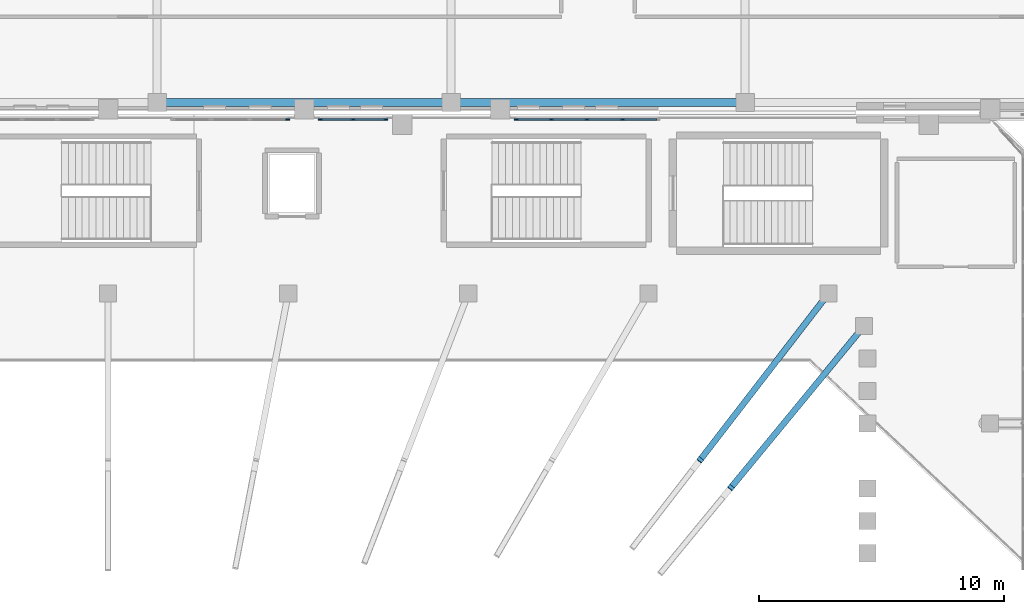
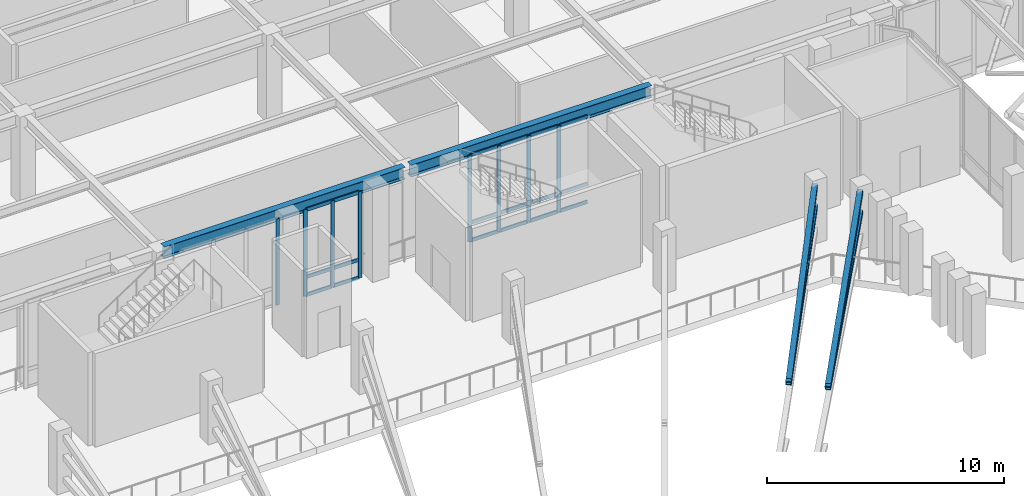
# One storey, part 30 of 79: 30 members, 2 beams, 3 elements without a shape of their own.
"""IFC4 building model written with IfcOpenShell, lengths in metres."""

import ifcopenshell
import ifcopenshell.guid

model = None  # the IFC model being written
_history = None  # IfcOwnerHistory: only IFC2X3 demands one
_inside = {}  # id of a spatial element -> (the spatial element, [elements in it])
_under = {}  # id of a project, library or spatial element -> (it, [spatial elements below it])
_declared = {}  # id of a project -> (the project, [libraries it declares])
_typed = {}  # id of a type object -> (the type object, [elements of that type])
_made_of = {}  # id of a material, layer set ... -> (it, [elements and type objects made of it])


def new_model(schema):
    """Start an empty IFC model of exactly this schema.

    Asked for "IFC4X3", IfcOpenShell would pick the latest addendum, in which some entities
    have other attributes; the version numbers below select the first issue.
    IFC2X3 requires an IfcOwnerHistory on every rooted entity: one is made here for all.
    """
    global model, _history
    if schema == "IFC4X3":
        model = ifcopenshell.file(schema_version=(4, 3, 0, 0))
    else:
        model = ifcopenshell.file(schema=schema)
    _inside.clear()
    _under.clear()
    _declared.clear()
    _typed.clear()
    _made_of.clear()
    _history = None
    if model.schema == "IFC2X3":
        org = make("IfcOrganization", Name="unknown")
        user = make(
            "IfcPersonAndOrganization",
            ThePerson=make("IfcPerson", FamilyName="unknown"),
            TheOrganization=org,
        )
        app = make(
            "IfcApplication",
            ApplicationDeveloper=org,
            Version="unknown",
            ApplicationFullName="unknown",
            ApplicationIdentifier="unknown",
        )
        _history = make(
            "IfcOwnerHistory",
            OwningUser=user,
            OwningApplication=app,
            ChangeAction="ADDED",
            CreationDate=0,
        )
    return model


def make(cls, **values):
    """One entity of the class cls with the attributes given. An attribute that is None is left unset."""
    return model.create_entity(
        cls, **{name: value for name, value in values.items() if value is not None}
    )


def rooted(cls, **values):
    """An entity with a GlobalId (a new one), such as an element, a storey or a relation."""
    return make(cls, GlobalId=ifcopenshell.guid.new(), OwnerHistory=_history, **values)


def si_unit(unit_type, name, prefix=None):
    """IfcSIUnit, for example si_unit("LENGTHUNIT", "METRE", prefix="MILLI")."""
    return make("IfcSIUnit", UnitType=unit_type, Prefix=prefix, Name=name)


def derived_unit(unit_type, elements):
    """IfcDerivedUnit: a product of units, each with its exponent."""
    return make(
        "IfcDerivedUnit",
        Elements=[
            make("IfcDerivedUnitElement", Unit=unit, Exponent=power)
            for unit, power in elements
        ],
        UnitType=unit_type,
    )


def assignment(units):
    """IfcUnitAssignment: the units of a project."""
    return None if units is None else make("IfcUnitAssignment", Units=units)


def point(xyz):
    """IfcCartesianPoint."""
    return None if xyz is None else make("IfcCartesianPoint", Coordinates=xyz)


def direction(xyz):
    """IfcDirection."""
    return None if xyz is None else make("IfcDirection", DirectionRatios=xyz)


def frame(location, z_axis=None, x_axis=None):
    """IfcAxis2Placement3D, a coordinate frame: its origin and axes. An axis left out is left unset."""
    return make(
        "IfcAxis2Placement3D",
        Location=point(location),
        Axis=direction(z_axis),
        RefDirection=direction(x_axis),
    )


def frame_2d(location, x_axis=None):
    """IfcAxis2Placement2D, a coordinate frame in the plane: its origin and x axis."""
    return make(
        "IfcAxis2Placement2D", Location=point(location), RefDirection=direction(x_axis)
    )


def origin():
    """The frame at (0, 0, 0) with its axes left unset."""
    return frame((0.0, 0.0, 0.0))


def origin_2d():
    """The frame at (0, 0) in the plane with its x axis left unset."""
    return frame_2d((0.0, 0.0))


def place(relative_to, where):
    """IfcLocalPlacement: puts the frame where relative to a parent placement (None: the world)."""
    return make(
        "IfcLocalPlacement", PlacementRelTo=relative_to, RelativePlacement=where
    )


def context(
    kind, dimensions, precision=None, world=None, true_north=None, identifier=None
):
    """IfcGeometricRepresentationContext, for example the 3D "Model" context."""
    return make(
        "IfcGeometricRepresentationContext",
        ContextIdentifier=identifier,
        ContextType=kind,
        CoordinateSpaceDimension=dimensions,
        Precision=precision,
        WorldCoordinateSystem=world,
        TrueNorth=true_north,
    )


def subcontext(parent, identifier, kind, view, scale=None):
    """IfcGeometricRepresentationSubContext, for example "Body" below "Model"."""
    return make(
        "IfcGeometricRepresentationSubContext",
        ContextIdentifier=identifier,
        ContextType=kind,
        ParentContext=parent,
        TargetScale=scale,
        TargetView=view,
    )


def project(units=None, contexts=None):
    """IfcProject with its units and contexts."""
    return rooted(
        "IfcProject",
        Name="project",
        RepresentationContexts=contexts,
        UnitsInContext=assignment(units),
    )


def spatial(cls, under=None, at=None, **own):
    """A site, building, storey or space (cls), placed at a placement, below another one or the project."""
    s = rooted(cls, ObjectPlacement=at, **own)
    if under is not None:
        _under.setdefault(under.id(), (under, []))[1].append(s)
    return s


def profile(cls, at=None, kind="AREA", **sizes):
    """A parametric profile (cls). Its sizes go by their IFC names, for example OverallWidth=200.0."""
    return make(cls, ProfileType=kind, Position=at, **sizes)


def rectangle(**sizes):
    """IfcRectangleProfileDef."""
    return profile("IfcRectangleProfileDef", **sizes)


def hollow_rectangle(**sizes):
    """IfcRectangleHollowProfileDef."""
    return profile("IfcRectangleHollowProfileDef", **sizes)


def i_section(**sizes):
    """IfcIShapeProfileDef."""
    return profile("IfcIShapeProfileDef", **sizes)


def extrude(swept, where, along, depth):
    """IfcExtrudedAreaSolid: the profile swept, set in the frame where, extruded along a direction by depth."""
    return make(
        "IfcExtrudedAreaSolid",
        SweptArea=swept,
        Position=where,
        ExtrudedDirection=direction(along),
        Depth=depth,
    )


def shape(context_of_items, identifier, shape_type, items):
    """IfcShapeRepresentation: the items that make up one representation, for example the "Body"."""
    return make(
        "IfcShapeRepresentation",
        ContextOfItems=context_of_items,
        RepresentationIdentifier=identifier,
        RepresentationType=shape_type,
        Items=items,
    )


def material(Name=None, Category=None):
    """IfcMaterial."""
    return make("IfcMaterial", Name=Name, Category=Category)


def layer(
    of_material, thickness, ventilated=None, Name=None, Category=None, Priority=None
):
    """IfcMaterialLayer: one layer of a wall or slab, of a material (None: an air gap)."""
    return make(
        "IfcMaterialLayer",
        Material=of_material,
        LayerThickness=thickness,
        IsVentilated=ventilated,
        Name=Name,
        Category=Category,
        Priority=Priority,
    )


def layer_set(layers, Name=None):
    """IfcMaterialLayerSet."""
    return make("IfcMaterialLayerSet", MaterialLayers=layers, LayerSetName=Name)


def material_profile(
    of_material, cross_section, Name=None, Category=None, Priority=None
):
    """IfcMaterialProfile: a cross section and its material."""
    return make(
        "IfcMaterialProfile",
        Name=Name,
        Material=of_material,
        Profile=cross_section,
        Priority=Priority,
        Category=Category,
    )


def profile_set(profiles, Name=None, composite=None):
    """IfcMaterialProfileSet."""
    return make(
        "IfcMaterialProfileSet",
        Name=Name,
        MaterialProfiles=profiles,
        CompositeProfile=composite,
    )


def made_of(thing, what):
    """Note that an element or type object is made of a material, layer set ...; save() writes the relation."""
    if what is not None:
        _made_of.setdefault(what.id(), (what, []))[1].append(thing)
    return thing


def type_object(cls, material=None, **own):
    """A type object (cls), such as IfcWallType, which elements share."""
    return made_of(rooted(cls, **own), material)


def element(
    cls,
    number,
    at=None,
    inside=None,
    cuts=None,
    type_object=None,
    material=None,
    context=None,
    identifier="Body",
    shape_type=None,
    held_by="IfcProductDefinitionShape",
    body=None,
    shapes=None,
    **own,
):
    """One element of the class cls, such as IfcWall. Its Tag is "e" and its number.

    at: its placement. inside: the storey or other place that contains it. cuts: it is an
    opening in that element (IfcRelVoidsElement). A single representation is given by context,
    identifier, shape_type and body (its items); several are given by shapes. held_by: the class
    of the entity that holds the representations. save() writes the other relations.
    """
    e = rooted(cls, Tag="e%d" % number, ObjectPlacement=at, **own)
    if body is not None:
        shapes = [shape(context, identifier, shape_type, body)]
    if shapes is not None:
        e.Representation = make(held_by, Representations=shapes)
    if inside is not None:
        _inside.setdefault(inside.id(), (inside, []))[1].append(e)
    if cuts is not None:
        rooted(
            "IfcRelVoidsElement", RelatingBuildingElement=cuts, RelatedOpeningElement=e
        )
    if type_object is not None:
        _typed.setdefault(type_object.id(), (type_object, []))[1].append(e)
    return made_of(e, material)


def aggregate(whole, parts):
    """IfcRelAggregates: a whole, such as a stair, and the parts it consists of."""
    return rooted("IfcRelAggregates", RelatingObject=whole, RelatedObjects=parts)


def save(model, path):
    """Write the relations noted so far, then the file.

    IfcRelAggregates (storeys below a building ...), IfcRelContainedInSpatialStructure (elements
    in a storey), IfcRelDefinesByType, IfcRelAssociatesMaterial and IfcRelDeclares: one each for
    every whole, place, type object, material and project.
    """
    for whole, parts in _under.values():
        aggregate(whole, parts)
    for where, things in _inside.values():
        rooted(
            "IfcRelContainedInSpatialStructure",
            RelatedElements=things,
            RelatingStructure=where,
        )
    for kind, things in _typed.values():
        rooted("IfcRelDefinesByType", RelatedObjects=things, RelatingType=kind)
    for what, things in _made_of.values():
        rooted("IfcRelAssociatesMaterial", RelatedObjects=things, RelatingMaterial=what)
    for by, libraries in _declared.values():
        rooted("IfcRelDeclares", RelatingContext=by, RelatedDefinitions=libraries)
    model.write(path)


model = new_model("IFC4")

# Units and contexts
model_context = context("Model", 3, precision=1e-05, world=origin(), true_north=direction((0.0, 1.0)))
body_context = subcontext(model_context, "Body", "Model", "MODEL_VIEW")
ifc_project = project(units=[si_unit("LENGTHUNIT", "METRE"), si_unit("AREAUNIT", "SQUARE_METRE"), si_unit("VOLUMEUNIT", "CUBIC_METRE"), si_unit("PLANEANGLEUNIT", "RADIAN"), si_unit("MASSUNIT", "GRAM", prefix="KILO"), derived_unit("THERMALTRANSMITTANCEUNIT", [(si_unit("MASSUNIT", "GRAM", prefix="KILO"), 1), (si_unit("TIMEUNIT", "SECOND"), -3), (si_unit("THERMODYNAMICTEMPERATUREUNIT", "KELVIN"), -1)])], contexts=[model_context])

# Site, building, storey
site_placement = place(None, origin())
site = spatial("IfcSite", under=ifc_project, at=site_placement, CompositionType="ELEMENT")
building_placement = place(site_placement, origin())
building = spatial("IfcBuilding", under=site, at=building_placement, Name="Valcora Ridge Arena", CompositionType="ELEMENT")
storey_placement = place(building_placement, frame((0.0, 0.0, 16.199951171875)))
storey = spatial("IfcBuildingStorey", under=building, at=storey_placement, Name="L03", CompositionType="ELEMENT", Elevation=16.199951171875)

# Beams
ifc_material_1 = material(Name="Steel ASTM A572 Grade 50", Category="steel")
ifc_material_profile_1 = material_profile(ifc_material_1, i_section(OverallWidth=0.324951171875, OverallDepth=0.612060546875, WebThickness=0.0126953125, FlangeThickness=0.01904296875, FilletRadius=0.01806640625, at=origin_2d()), Name="W24X104")
ifc_profile_set_1 = profile_set([ifc_material_profile_1], Name="Steel ASTM A572 Grade 50")
beam_type = type_object("IfcBeamType", Name="TY-BEAM-G-W24X104-X", PredefinedType="BEAM", material=ifc_profile_set_1)
for number, where, z_axis, x_axis, name in (
    (1, (60.139892578125, 108.699951171875, 4.154052734375), (1.0, 0.0, 0.0), (0.0, 1.0, 0.0), "G-W24X104-X BEM-G-W24X104-X-0100"),
    (2, (72.139892578125, 108.699951171875, 4.154052734375), (1.0, 0.0, 0.0), (0.0, 1.0, 0.0), "G-W24X104-X BEM-G-W24X104-X-0101"),
):
    element("IfcBeam", number, at=place(storey_placement, frame(where, z_axis=z_axis, x_axis=x_axis)), inside=storey, type_object=beam_type, Name=name, PredefinedType="BEAM", context=body_context, shape_type="SweptSolid", body=[
        extrude(i_section(OverallWidth=0.324951171875, OverallDepth=0.612060546875, WebThickness=0.0126953125, FlangeThickness=0.01904296875, FilletRadius=0.01806640625, at=origin_2d()), origin(), (0.0, 0.0, 1.0), 11.72021484375),
    ])

# Curtain wall, member
ifc_material_2 = material(Name="Anodised dark bronze architectural aluminium 6063-T6", Category="aluminium")
ifc_layer_1 = layer(ifc_material_2, 0.179931640625, Name="Anodised dark bronze architectural aluminium 6063-T6")
ifc_layer_set_1 = layer_set([ifc_layer_1], Name="Anodised dark bronze architectural aluminium 6063-T6")
curtain_wall_type_1 = type_object("IfcCurtainWallType", Name="TY-CURTAINWALL-CW-V1-GOTH-047X44", PredefinedType="NOTDEFINED", material=ifc_layer_set_1)
curtain_wall_1_placement = place(storey_placement, origin())
curtain_wall_1 = element("IfcCurtainWall", 3, at=curtain_wall_1_placement, inside=storey, type_object=curtain_wall_type_1, Name="CW-V1-GOTH-047X44 CW-0143", PredefinedType="NOTDEFINED")
ifc_material_profile_2 = material_profile(ifc_material_2, rectangle(XDim=0.06005859375, YDim=0.179931640625, at=origin_2d()), Name="ALU MULLION 60x180")
ifc_profile_set_2 = profile_set([ifc_material_profile_2], Name="Anodised dark bronze architectural aluminium 6063-T6")
member_type_1 = type_object("IfcMemberType", Name="TY-MEM-CWM-60x180", PredefinedType="MULLION", material=ifc_profile_set_2)
member_1_placement = place(storey_placement, frame((65.330078125, 108.0, 0.0), z_axis=(0.0, 0.0, 1.0), x_axis=(0.0, 1.0, 0.0)))
member_1 = element("IfcMember", 4, at=member_1_placement, type_object=member_type_1, Name="CW-0143/CWM-60x180/M03", PredefinedType="MULLION", context=body_context, shape_type="SweptSolid", body=[
    extrude(rectangle(XDim=0.06005859375, YDim=0.179931640625, at=origin_2d()), origin(), (0.0, 0.0, 1.0), 4.43994140625),
])
aggregate(curtain_wall_1, [member_1])

# Curtain wall, members
ifc_layer_2 = layer(ifc_material_2, 0.179931640625, Name="Anodised dark bronze architectural aluminium 6063-T6")
ifc_layer_set_2 = layer_set([ifc_layer_2], Name="Anodised dark bronze architectural aluminium 6063-T6")
curtain_wall_type_2 = type_object("IfcCurtainWallType", Name="TY-CURTAINWALL-CW-V1-GOTH-027X44", PredefinedType="NOTDEFINED", material=ifc_layer_set_2)
curtain_wall_2_placement = place(storey_placement, origin())
curtain_wall_2 = element("IfcCurtainWall", 5, at=curtain_wall_2_placement, inside=storey, type_object=curtain_wall_type_2, Name="CW-V1-GOTH-027X44 CW-0144", PredefinedType="NOTDEFINED")
member_2_placement = place(storey_placement, frame((66.669921875, 108.0, 0.0), z_axis=(0.0, 0.0, 1.0), x_axis=(0.0, 1.0, 0.0)))
member_2 = element("IfcMember", 6, at=member_2_placement, type_object=member_type_1, Name="CW-0144/CWM-60x180/M00", PredefinedType="MULLION", context=body_context, shape_type="SweptSolid", body=[
    extrude(rectangle(XDim=0.06005859375, YDim=0.179931640625, at=origin_2d()), origin(), (0.0, 0.0, 1.0), 4.43994140625),
])
member_3_placement = place(storey_placement, frame((68.0, 108.0, 0.0), z_axis=(0.0, 0.0, 1.0), x_axis=(0.0, 1.0, 0.0)))
member_3 = element("IfcMember", 7, at=member_3_placement, type_object=member_type_1, Name="CW-0144/CWM-60x180/M01", PredefinedType="MULLION", context=body_context, shape_type="SweptSolid", body=[
    extrude(rectangle(XDim=0.06005859375, YDim=0.179931640625, at=origin_2d()), origin(), (0.0, 0.0, 1.0), 4.43994140625),
])
member_4_placement = place(storey_placement, frame((69.330078125, 108.0, 0.0), z_axis=(0.0, 0.0, 1.0), x_axis=(0.0, 1.0, 0.0)))
member_4 = element("IfcMember", 8, at=member_4_placement, type_object=member_type_1, Name="CW-0144/CWM-60x180/M02", PredefinedType="MULLION", context=body_context, shape_type="SweptSolid", body=[
    extrude(rectangle(XDim=0.06005859375, YDim=0.179931640625, at=origin_2d()), origin(), (0.0, 0.0, 1.0), 4.43994140625),
])

ifc_layer_3 = layer(ifc_material_2, 0.179931640625, Name="Anodised dark bronze architectural aluminium 6063-T6")
ifc_layer_set_3 = layer_set([ifc_layer_3], Name="Anodised dark bronze architectural aluminium 6063-T6")
curtain_wall_type_3 = type_object("IfcCurtainWallType", Name="TY-CURTAINWALL-CW-V1-GOTH-058X44", PredefinedType="NOTDEFINED", material=ifc_layer_set_3)
curtain_wall_3_placement = place(storey_placement, origin())
curtain_wall_3 = element("IfcCurtainWall", 9, at=curtain_wall_3_placement, inside=storey, type_object=curtain_wall_type_3, Name="CW-V1-GOTH-058X44 CW-0145", PredefinedType="NOTDEFINED")
member_5_placement = place(storey_placement, frame((74.669921875, 108.0, 0.0), z_axis=(0.0, 0.0, 1.0), x_axis=(0.0, 1.0, 0.0)))
member_5 = element("IfcMember", 10, at=member_5_placement, type_object=member_type_1, Name="CW-0145/CWM-60x180/M00", PredefinedType="MULLION", context=body_context, shape_type="SweptSolid", body=[
    extrude(rectangle(XDim=0.06005859375, YDim=0.179931640625, at=origin_2d()), origin(), (0.0, 0.0, 1.0), 4.43994140625),
])
member_6_placement = place(storey_placement, frame((76.092529296875, 108.0, 0.0), z_axis=(0.0, 0.0, 1.0), x_axis=(0.0, 1.0, 0.0)))
member_6 = element("IfcMember", 11, at=member_6_placement, type_object=member_type_1, Name="CW-0145/CWM-60x180/M01", PredefinedType="MULLION", context=body_context, shape_type="SweptSolid", body=[
    extrude(rectangle(XDim=0.06005859375, YDim=0.179931640625, at=origin_2d()), origin(), (0.0, 0.0, 1.0), 4.43994140625),
])
member_7_placement = place(storey_placement, frame((77.544921875, 108.0, 0.0), z_axis=(0.0, 0.0, 1.0), x_axis=(0.0, 1.0, 0.0)))
member_7 = element("IfcMember", 12, at=member_7_placement, type_object=member_type_1, Name="CW-0145/CWM-60x180/M02", PredefinedType="MULLION", context=body_context, shape_type="SweptSolid", body=[
    extrude(rectangle(XDim=0.06005859375, YDim=0.179931640625, at=origin_2d()), origin(), (0.0, 0.0, 1.0), 4.43994140625),
])
member_8_placement = place(storey_placement, frame((78.99755859375, 108.0, 0.0), z_axis=(0.0, 0.0, 1.0), x_axis=(0.0, 1.0, 0.0)))
member_8 = element("IfcMember", 13, at=member_8_placement, type_object=member_type_1, Name="CW-0145/CWM-60x180/M03", PredefinedType="MULLION", context=body_context, shape_type="SweptSolid", body=[
    extrude(rectangle(XDim=0.06005859375, YDim=0.179931640625, at=origin_2d()), origin(), (0.0, 0.0, 1.0), 4.43994140625),
])

# Member
ifc_material_profile_3 = material_profile(ifc_material_2, rectangle(XDim=0.06005859375, YDim=0.179931640625, at=origin_2d()), Name="ALU TRANSOM 60x180")
ifc_profile_set_3 = profile_set([ifc_material_profile_3], Name="Anodised dark bronze architectural aluminium 6063-T6")
member_type_2 = type_object("IfcMemberType", Name="TY-MEM-CWT-60x180", PredefinedType="USERDEFINED", material=ifc_profile_set_3)
member_9_placement = place(storey_placement, frame((66.699951171875, 108.0, 0.030029296875), z_axis=(1.0, 0.0, 0.0), x_axis=(0.0, 1.0, 0.0)))
member_9 = element("IfcMember", 14, at=member_9_placement, type_object=member_type_2, Name="CW-0144/CWT-60x180/T00-00", ObjectType="TRANSOM", PredefinedType="USERDEFINED", context=body_context, shape_type="SweptSolid", body=[
    extrude(rectangle(XDim=0.06005859375, YDim=0.179931640625, at=origin_2d()), origin(), (0.0, 0.0, 1.0), 1.27001953125),
])

member_10_placement = place(storey_placement, frame((66.699951171875, 108.0, 0.949951171875), z_axis=(1.0, 0.0, 0.0), x_axis=(0.0, 1.0, 0.0)))
member_10 = element("IfcMember", 15, at=member_10_placement, type_object=member_type_2, Name="CW-0144/CWT-60x180/T00-01", ObjectType="TRANSOM", PredefinedType="USERDEFINED", context=body_context, shape_type="SweptSolid", body=[
    extrude(rectangle(XDim=0.06005859375, YDim=0.179931640625, at=origin_2d()), origin(), (0.0, 0.0, 1.0), 1.27001953125),
])

member_11_placement = place(storey_placement, frame((66.699951171875, 108.0, 4.41015625), z_axis=(1.0, 0.0, 0.0), x_axis=(0.0, 1.0, 0.0)))
member_11 = element("IfcMember", 16, at=member_11_placement, type_object=member_type_2, Name="CW-0144/CWT-60x180/T00-02", ObjectType="TRANSOM", PredefinedType="USERDEFINED", context=body_context, shape_type="SweptSolid", body=[
    extrude(rectangle(XDim=0.06005859375, YDim=0.179931640625, at=origin_2d()), origin(), (0.0, 0.0, 1.0), 1.27001953125),
])

member_12_placement = place(storey_placement, frame((68.030029296875, 108.0, 0.030029296875), z_axis=(1.0, 0.0, 0.0), x_axis=(0.0, 1.0, 0.0)))
member_12 = element("IfcMember", 17, at=member_12_placement, type_object=member_type_2, Name="CW-0144/CWT-60x180/T01-00", ObjectType="TRANSOM", PredefinedType="USERDEFINED", context=body_context, shape_type="SweptSolid", body=[
    extrude(rectangle(XDim=0.06005859375, YDim=0.179931640625, at=origin_2d()), origin(), (0.0, 0.0, 1.0), 1.27001953125),
])

member_13_placement = place(storey_placement, frame((68.030029296875, 108.0, 0.949951171875), z_axis=(1.0, 0.0, 0.0), x_axis=(0.0, 1.0, 0.0)))
member_13 = element("IfcMember", 18, at=member_13_placement, type_object=member_type_2, Name="CW-0144/CWT-60x180/T01-01", ObjectType="TRANSOM", PredefinedType="USERDEFINED", context=body_context, shape_type="SweptSolid", body=[
    extrude(rectangle(XDim=0.06005859375, YDim=0.179931640625, at=origin_2d()), origin(), (0.0, 0.0, 1.0), 1.27001953125),
])

member_14_placement = place(storey_placement, frame((68.030029296875, 108.0, 4.41015625), z_axis=(1.0, 0.0, 0.0), x_axis=(0.0, 1.0, 0.0)))
member_14 = element("IfcMember", 19, at=member_14_placement, type_object=member_type_2, Name="CW-0144/CWT-60x180/T01-02", ObjectType="TRANSOM", PredefinedType="USERDEFINED", context=body_context, shape_type="SweptSolid", body=[
    extrude(rectangle(XDim=0.06005859375, YDim=0.179931640625, at=origin_2d()), origin(), (0.0, 0.0, 1.0), 1.27001953125),
])

aggregate(curtain_wall_2, [member_2, member_3, member_4, member_9, member_10, member_11, member_12, member_13, member_14])

member_15_placement = place(storey_placement, frame((74.699951171875, 108.0, 0.030029296875), z_axis=(1.0, 0.0, 0.0), x_axis=(0.0, 1.0, 0.0)))
member_15 = element("IfcMember", 20, at=member_15_placement, type_object=member_type_2, Name="CW-0145/CWT-60x180/T00-00", ObjectType="TRANSOM", PredefinedType="USERDEFINED", context=body_context, shape_type="SweptSolid", body=[
    extrude(rectangle(XDim=0.06005859375, YDim=0.179931640625, at=origin_2d()), origin(), (0.0, 0.0, 1.0), 1.362060546875),
])

member_16_placement = place(storey_placement, frame((74.699951171875, 108.0, 0.949951171875), z_axis=(1.0, 0.0, 0.0), x_axis=(0.0, 1.0, 0.0)))
member_16 = element("IfcMember", 21, at=member_16_placement, type_object=member_type_2, Name="CW-0145/CWT-60x180/T00-01", ObjectType="TRANSOM", PredefinedType="USERDEFINED", context=body_context, shape_type="SweptSolid", body=[
    extrude(rectangle(XDim=0.06005859375, YDim=0.179931640625, at=origin_2d()), origin(), (0.0, 0.0, 1.0), 1.362060546875),
])

member_17_placement = place(storey_placement, frame((74.699951171875, 108.0, 4.41015625), z_axis=(1.0, 0.0, 0.0), x_axis=(0.0, 1.0, 0.0)))
member_17 = element("IfcMember", 22, at=member_17_placement, type_object=member_type_2, Name="CW-0145/CWT-60x180/T00-02", ObjectType="TRANSOM", PredefinedType="USERDEFINED", context=body_context, shape_type="SweptSolid", body=[
    extrude(rectangle(XDim=0.06005859375, YDim=0.179931640625, at=origin_2d()), origin(), (0.0, 0.0, 1.0), 1.362060546875),
])

member_18_placement = place(storey_placement, frame((76.1220703125, 108.0, 0.030029296875), z_axis=(1.0, 0.0, 0.0), x_axis=(0.0, 1.0, 0.0)))
member_18 = element("IfcMember", 23, at=member_18_placement, type_object=member_type_2, Name="CW-0145/CWT-60x180/T01-00", ObjectType="TRANSOM", PredefinedType="USERDEFINED", context=body_context, shape_type="SweptSolid", body=[
    extrude(rectangle(XDim=0.06005859375, YDim=0.179931640625, at=origin_2d()), origin(), (0.0, 0.0, 1.0), 1.392822265625),
])

member_19_placement = place(storey_placement, frame((76.1220703125, 108.0, 0.949951171875), z_axis=(1.0, 0.0, 0.0), x_axis=(0.0, 1.0, 0.0)))
member_19 = element("IfcMember", 24, at=member_19_placement, type_object=member_type_2, Name="CW-0145/CWT-60x180/T01-01", ObjectType="TRANSOM", PredefinedType="USERDEFINED", context=body_context, shape_type="SweptSolid", body=[
    extrude(rectangle(XDim=0.06005859375, YDim=0.179931640625, at=origin_2d()), origin(), (0.0, 0.0, 1.0), 1.392822265625),
])

member_20_placement = place(storey_placement, frame((76.1220703125, 108.0, 4.41015625), z_axis=(1.0, 0.0, 0.0), x_axis=(0.0, 1.0, 0.0)))
member_20 = element("IfcMember", 25, at=member_20_placement, type_object=member_type_2, Name="CW-0145/CWT-60x180/T01-02", ObjectType="TRANSOM", PredefinedType="USERDEFINED", context=body_context, shape_type="SweptSolid", body=[
    extrude(rectangle(XDim=0.06005859375, YDim=0.179931640625, at=origin_2d()), origin(), (0.0, 0.0, 1.0), 1.392822265625),
])

member_21_placement = place(storey_placement, frame((77.574951171875, 108.0, 0.030029296875), z_axis=(1.0, 0.0, 0.0), x_axis=(0.0, 1.0, 0.0)))
member_21 = element("IfcMember", 26, at=member_21_placement, type_object=member_type_2, Name="CW-0145/CWT-60x180/T02-00", ObjectType="TRANSOM", PredefinedType="USERDEFINED", context=body_context, shape_type="SweptSolid", body=[
    extrude(rectangle(XDim=0.06005859375, YDim=0.179931640625, at=origin_2d()), origin(), (0.0, 0.0, 1.0), 1.39208984375),
])

member_22_placement = place(storey_placement, frame((77.574951171875, 108.0, 0.949951171875), z_axis=(1.0, 0.0, 0.0), x_axis=(0.0, 1.0, 0.0)))
member_22 = element("IfcMember", 27, at=member_22_placement, type_object=member_type_2, Name="CW-0145/CWT-60x180/T02-01", ObjectType="TRANSOM", PredefinedType="USERDEFINED", context=body_context, shape_type="SweptSolid", body=[
    extrude(rectangle(XDim=0.06005859375, YDim=0.179931640625, at=origin_2d()), origin(), (0.0, 0.0, 1.0), 1.39208984375),
])

member_23_placement = place(storey_placement, frame((77.574951171875, 108.0, 4.41015625), z_axis=(1.0, 0.0, 0.0), x_axis=(0.0, 1.0, 0.0)))
member_23 = element("IfcMember", 28, at=member_23_placement, type_object=member_type_2, Name="CW-0145/CWT-60x180/T02-02", ObjectType="TRANSOM", PredefinedType="USERDEFINED", context=body_context, shape_type="SweptSolid", body=[
    extrude(rectangle(XDim=0.06005859375, YDim=0.179931640625, at=origin_2d()), origin(), (0.0, 0.0, 1.0), 1.39208984375),
])

member_24_placement = place(storey_placement, frame((79.028076171875, 108.0, 0.030029296875), z_axis=(1.0, 0.0, 0.0), x_axis=(0.0, 1.0, 0.0)))
member_24 = element("IfcMember", 29, at=member_24_placement, type_object=member_type_2, Name="CW-0145/CWT-60x180/T03-00", ObjectType="TRANSOM", PredefinedType="USERDEFINED", context=body_context, shape_type="SweptSolid", body=[
    extrude(rectangle(XDim=0.06005859375, YDim=0.179931640625, at=origin_2d()), origin(), (0.0, 0.0, 1.0), 1.36181640625),
])

member_25_placement = place(storey_placement, frame((79.028076171875, 108.0, 0.949951171875), z_axis=(1.0, 0.0, 0.0), x_axis=(0.0, 1.0, 0.0)))
member_25 = element("IfcMember", 30, at=member_25_placement, type_object=member_type_2, Name="CW-0145/CWT-60x180/T03-01", ObjectType="TRANSOM", PredefinedType="USERDEFINED", context=body_context, shape_type="SweptSolid", body=[
    extrude(rectangle(XDim=0.06005859375, YDim=0.179931640625, at=origin_2d()), origin(), (0.0, 0.0, 1.0), 1.36181640625),
])

member_26_placement = place(storey_placement, frame((79.028076171875, 108.0, 4.41015625), z_axis=(1.0, 0.0, 0.0), x_axis=(0.0, 1.0, 0.0)))
member_26 = element("IfcMember", 31, at=member_26_placement, type_object=member_type_2, Name="CW-0145/CWT-60x180/T03-02", ObjectType="TRANSOM", PredefinedType="USERDEFINED", context=body_context, shape_type="SweptSolid", body=[
    extrude(rectangle(XDim=0.06005859375, YDim=0.179931640625, at=origin_2d()), origin(), (0.0, 0.0, 1.0), 1.36181640625),
])

aggregate(curtain_wall_3, [member_5, member_6, member_7, member_8, member_15, member_16, member_17, member_18, member_19, member_20, member_21, member_22, member_23, member_24, member_25, member_26])

# Members
ifc_material_3 = material(Name="Steel ASTM A500 Grade C", Category="steel")
ifc_material_profile_4 = material_profile(ifc_material_3, hollow_rectangle(XDim=0.25, YDim=0.25, WallThickness=0.012451171875, at=origin_2d()), Name="HSS250X250X12")
ifc_profile_set_4 = profile_set([ifc_material_profile_4], Name="Steel ASTM A500 Grade C")
member_type_3 = type_object("IfcMemberType", Name="TY-MEMBER-RKRUC-251", PredefinedType="CHORD", material=ifc_profile_set_4)
member_27_placement = place(storey_placement, frame((83.406982421875, 92.9658203125, -1.51806640625), z_axis=(0.560895291431, 0.681042731005, 0.470719949223), x_axis=(-0.771909894163, 0.635731952393, 0.0)))
element("IfcMember", 32, at=member_27_placement, inside=storey, type_object=member_type_3, Name="RKRUC-251 MBR-RK-RKRUC-251-0011", PredefinedType="CHORD", context=body_context, shape_type="SweptSolid", body=[
    extrude(hollow_rectangle(XDim=0.25, YDim=0.25, WallThickness=0.012451171875, at=origin_2d()), origin(), (0.0, 0.0, 1.0), 9.424560546875),
])
member_28_placement = place(storey_placement, frame((82.15087890625, 94.095703125, -1.5185546875), z_axis=(0.539339010653, 0.699110637887, 0.469422781277), x_axis=(-0.791768513039, 0.610821268261, 0.0)))
element("IfcMember", 33, at=member_28_placement, inside=storey, type_object=member_type_3, Name="RKRUC-251 MBR-RK-RKRUC-251-0012", PredefinedType="CHORD", context=body_context, shape_type="SweptSolid", body=[
    extrude(hollow_rectangle(XDim=0.25, YDim=0.25, WallThickness=0.012451171875, at=origin_2d()), origin(), (0.0, 0.0, 1.0), 9.45263671875),
])
ifc_material_profile_5 = material_profile(ifc_material_3, hollow_rectangle(XDim=0.25, YDim=0.25, WallThickness=0.012451171875, at=origin_2d()), Name="HSS250X250X12")
ifc_profile_set_5 = profile_set([ifc_material_profile_5], Name="Steel ASTM A500 Grade C")
member_type_4 = type_object("IfcMemberType", Name="TY-MEMBER-RKRUT-250", PredefinedType="BRACE", material=ifc_profile_set_5)
member_29_placement = place(storey_placement, frame((83.414794921875, 92.97509765625, -1.494140625), z_axis=(0.588463892393, 0.714563297906, 0.378298216538), x_axis=(-0.771930235617, 0.635707252861, 0.0)))
element("IfcMember", 34, at=member_29_placement, inside=storey, type_object=member_type_4, Name="RKRUT-250 Raker Tie Brace", PredefinedType="BRACE", context=body_context, shape_type="SweptSolid", body=[
    extrude(hollow_rectangle(XDim=0.25, YDim=0.25, WallThickness=0.012451171875, at=origin_2d()), origin(), (0.0, 0.0, 1.0), 8.956298828125),
])
member_30_placement = place(storey_placement, frame((82.158447265625, 94.105224609375, -1.494384765625), z_axis=(0.565701100099, 0.733311209436, 0.377143123312), x_axis=(-0.791780228759, 0.610806081622, 0.0)))
element("IfcMember", 35, at=member_30_placement, inside=storey, type_object=member_type_4, Name="RKRUT-250 Raker Tie Brace", PredefinedType="BRACE", context=body_context, shape_type="SweptSolid", body=[
    extrude(hollow_rectangle(XDim=0.25, YDim=0.25, WallThickness=0.012451171875, at=origin_2d()), origin(), (0.0, 0.0, 1.0), 8.98583984375),
])

save(model, "model.ifc")
